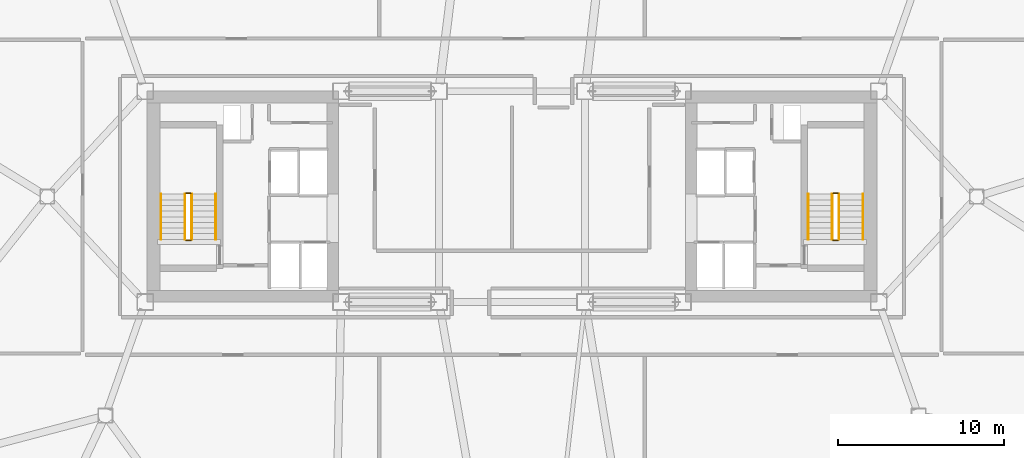
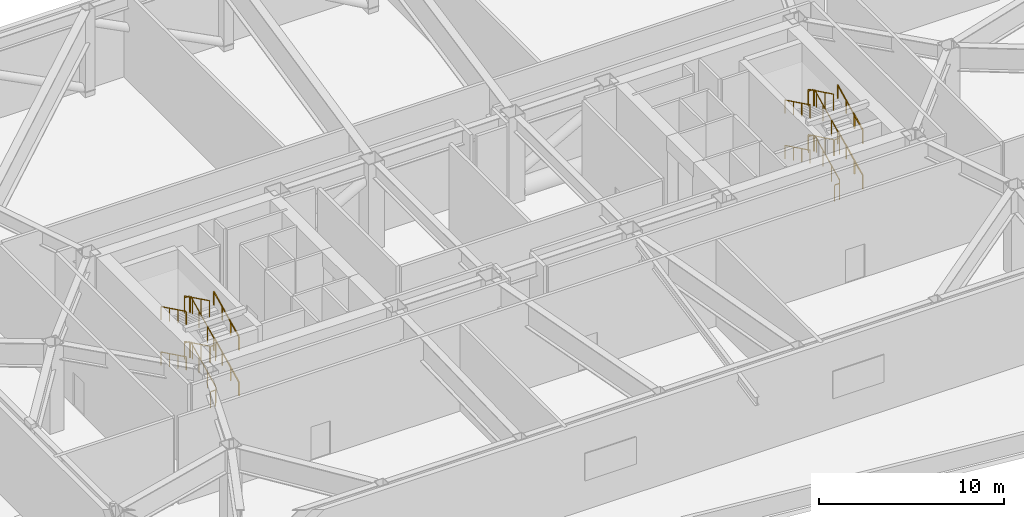
# One storey, part 12 of 12: 24 railings.
"""IFC4 building model written with IfcOpenShell, lengths in metres."""

from ifc_helpers import new_model, si_unit, direction, frame, origin, origin_2d, place, context, subcontext, project, spatial, rectangle, extrude, material, layer, layer_set, type_object, element, save


model = new_model("IFC4")

# Units and contexts
model_context = context("Model", 3, precision=1e-05, world=origin(), true_north=direction((0.0, 1.0)))
body_context = subcontext(model_context, "Body", "Model", "MODEL_VIEW")
ifc_project = project(units=[si_unit("LENGTHUNIT", "METRE"), si_unit("AREAUNIT", "SQUARE_METRE"), si_unit("VOLUMEUNIT", "CUBIC_METRE"), si_unit("PLANEANGLEUNIT", "RADIAN"), si_unit("MASSUNIT", "GRAM", prefix="KILO")], contexts=[model_context])

# Site, building, storey
site_placement = place(None, origin())
site = spatial("IfcSite", under=ifc_project, at=site_placement, CompositionType="ELEMENT")
building_placement = place(site_placement, origin())
building = spatial("IfcBuilding", under=site, at=building_placement, Name="Tavrogorsk Clinical Tower", CompositionType="ELEMENT")
storey_placement = place(building_placement, frame((0.0, 0.0, 146.199951171875)))
storey = spatial("IfcBuildingStorey", under=building, at=storey_placement, Name="L33", CompositionType="ELEMENT", Elevation=146.199951171875)

# Railings
ifc_material_1 = material(Name="Galvanised steel S355 safety stairwell guard", Category="steel")
ifc_layer_1 = layer(ifc_material_1, 0.06005859375)
ifc_layer_set_1 = layer_set([ifc_layer_1], Name="Galvanised steel S355 safety stairwell guard")
railing_type_1 = type_object("IfcRailingType", Name="StairGuard_1150", PredefinedType="GUARDRAIL", material=ifc_layer_set_1)
railing_1_placement = place(storey_placement, frame((-19.300048828125, -2.574951171875, 0.166748046875)))
element("IfcRailing", 1, at=railing_1_placement, inside=storey, type_object=railing_type_1, Name="L33 ST-W stair guard 1", PredefinedType="GUARDRAIL", context=body_context, shape_type="SweptSolid", body=[
    extrude(rectangle(XDim=0.048095703125, YDim=0.048095703125, at=origin_2d()), frame((0.0, 0.0, 1.076171875), z_axis=(0.0, 0.897929466783, 0.4401393787), x_axis=(-1.0, 0.0, 0.0)), (0.0, 0.0, 1.0), 3.029052734375),
    extrude(rectangle(XDim=0.0419921875, YDim=0.0419921875, at=origin_2d()), origin(), (0.0, 0.0, 1.0), 1.052001953125),
    extrude(rectangle(XDim=0.0419921875, YDim=0.0419921875, at=origin_2d()), frame((0.0, 0.90673828125, 0.4443359375)), (0.0, 0.0, 1.0), 1.052001953125),
    extrude(rectangle(XDim=0.0419921875, YDim=0.0419921875, at=origin_2d()), frame((0.0, 1.813232421875, 0.888916015625)), (0.0, 0.0, 1.0), 1.052001953125),
    extrude(rectangle(XDim=0.0419921875, YDim=0.0419921875, at=origin_2d()), frame((0.0, 2.719970703125, 1.333251953125)), (0.0, 0.0, 1.0), 1.052001953125),
])
railing_2_placement = place(storey_placement, frame((-19.35009765625, 0.195068359375, 1.5)))
element("IfcRailing", 2, at=railing_2_placement, inside=storey, type_object=railing_type_1, Name="L33 ST-W stair guard 2", PredefinedType="GUARDRAIL", context=body_context, shape_type="SweptSolid", body=[
    extrude(rectangle(XDim=0.048095703125, YDim=0.048095703125, at=origin_2d()), frame((0.0, 0.0, 1.076171875), z_axis=(-1.0, 0.0, 0.0), x_axis=(0.0, -1.0, 0.0)), (0.0, 0.0, 1.0), 0.2998046875),
    extrude(rectangle(XDim=0.0419921875, YDim=0.0419921875, at=origin_2d()), origin(), (0.0, 0.0, 1.0), 1.052001953125),
    extrude(rectangle(XDim=0.0419921875, YDim=0.0419921875, at=origin_2d()), frame((-0.2998046875, 0.0, 0.0)), (0.0, 0.0, 1.0), 1.052001953125),
])
railing_3_placement = place(storey_placement, frame((-19.699951171875, 0.14501953125, 1.666748046875)))
element("IfcRailing", 3, at=railing_3_placement, inside=storey, type_object=railing_type_1, Name="L33 ST-W stair guard 3", PredefinedType="GUARDRAIL", context=body_context, shape_type="SweptSolid", body=[
    extrude(rectangle(XDim=0.048095703125, YDim=0.048095703125, at=origin_2d()), frame((0.0, 0.0, 1.076171875), z_axis=(0.0, -0.897929466783, 0.4401393787), x_axis=(1.0, 0.0, 0.0)), (0.0, 0.0, 1.0), 3.029052734375),
    extrude(rectangle(XDim=0.0419921875, YDim=0.0419921875, at=origin_2d()), origin(), (0.0, 0.0, 1.0), 1.052001953125),
    extrude(rectangle(XDim=0.0419921875, YDim=0.0419921875, at=origin_2d()), frame((0.0, -0.90673828125, 0.4443359375)), (0.0, 0.0, 1.0), 1.052001953125),
    extrude(rectangle(XDim=0.0419921875, YDim=0.0419921875, at=origin_2d()), frame((0.0, -1.813232421875, 0.888916015625)), (0.0, 0.0, 1.0), 1.052001953125),
    extrude(rectangle(XDim=0.0419921875, YDim=0.0419921875, at=origin_2d()), frame((0.0, -2.719970703125, 1.333251953125)), (0.0, 0.0, 1.0), 1.052001953125),
])
railing_4_placement = place(storey_placement, frame((-19.35009765625, -2.625, 3.0)))
element("IfcRailing", 4, at=railing_4_placement, inside=storey, type_object=railing_type_1, Name="L33 ST-W stair guard 4", PredefinedType="GUARDRAIL", context=body_context, shape_type="SweptSolid", body=[
    extrude(rectangle(XDim=0.048095703125, YDim=0.048095703125, at=origin_2d()), frame((0.0, 0.0, 1.076171875), z_axis=(-1.0, 0.0, 0.0), x_axis=(0.0, -1.0, 0.0)), (0.0, 0.0, 1.0), 0.2998046875),
    extrude(rectangle(XDim=0.0419921875, YDim=0.0419921875, at=origin_2d()), origin(), (0.0, 0.0, 1.0), 1.052001953125),
    extrude(rectangle(XDim=0.0419921875, YDim=0.0419921875, at=origin_2d()), frame((-0.2998046875, 0.0, 0.0)), (0.0, 0.0, 1.0), 1.052001953125),
])
railing_5_placement = place(storey_placement, frame((-19.300048828125, -2.574951171875, 3.166748046875)))
element("IfcRailing", 5, at=railing_5_placement, inside=storey, type_object=railing_type_1, Name="L33 ST-W stair guard 5", PredefinedType="GUARDRAIL", context=body_context, shape_type="SweptSolid", body=[
    extrude(rectangle(XDim=0.048095703125, YDim=0.048095703125, at=origin_2d()), frame((0.0, 0.0, 1.076171875), z_axis=(0.0, 0.897929466783, 0.4401393787), x_axis=(-1.0, 0.0, 0.0)), (0.0, 0.0, 1.0), 3.029052734375),
    extrude(rectangle(XDim=0.0419921875, YDim=0.0419921875, at=origin_2d()), origin(), (0.0, 0.0, 1.0), 1.052001953125),
    extrude(rectangle(XDim=0.0419921875, YDim=0.0419921875, at=origin_2d()), frame((0.0, 0.90673828125, 0.4443359375)), (0.0, 0.0, 1.0), 1.052001953125),
    extrude(rectangle(XDim=0.0419921875, YDim=0.0419921875, at=origin_2d()), frame((0.0, 1.813232421875, 0.888916015625)), (0.0, 0.0, 1.0), 1.052001953125),
    extrude(rectangle(XDim=0.0419921875, YDim=0.0419921875, at=origin_2d()), frame((0.0, 2.719970703125, 1.333251953125)), (0.0, 0.0, 1.0), 1.052001953125),
])
railing_6_placement = place(storey_placement, frame((-19.35009765625, 0.195068359375, 4.5)))
element("IfcRailing", 6, at=railing_6_placement, inside=storey, type_object=railing_type_1, Name="L33 ST-W stair guard 6", PredefinedType="GUARDRAIL", context=body_context, shape_type="SweptSolid", body=[
    extrude(rectangle(XDim=0.048095703125, YDim=0.048095703125, at=origin_2d()), frame((0.0, 0.0, 1.076171875), z_axis=(-1.0, 0.0, 0.0), x_axis=(0.0, -1.0, 0.0)), (0.0, 0.0, 1.0), 0.2998046875),
    extrude(rectangle(XDim=0.0419921875, YDim=0.0419921875, at=origin_2d()), origin(), (0.0, 0.0, 1.0), 1.052001953125),
    extrude(rectangle(XDim=0.0419921875, YDim=0.0419921875, at=origin_2d()), frame((-0.2998046875, 0.0, 0.0)), (0.0, 0.0, 1.0), 1.052001953125),
])
railing_7_placement = place(storey_placement, frame((-19.699951171875, 0.14501953125, 4.666748046875)))
element("IfcRailing", 7, at=railing_7_placement, inside=storey, type_object=railing_type_1, Name="L33 ST-W stair guard 7", PredefinedType="GUARDRAIL", context=body_context, shape_type="SweptSolid", body=[
    extrude(rectangle(XDim=0.048095703125, YDim=0.048095703125, at=origin_2d()), frame((0.0, 0.0, 1.076171875), z_axis=(0.0, -0.897929466783, 0.4401393787), x_axis=(1.0, 0.0, 0.0)), (0.0, 0.0, 1.0), 3.029052734375),
    extrude(rectangle(XDim=0.0419921875, YDim=0.0419921875, at=origin_2d()), origin(), (0.0, 0.0, 1.0), 1.052001953125),
    extrude(rectangle(XDim=0.0419921875, YDim=0.0419921875, at=origin_2d()), frame((0.0, -0.90673828125, 0.4443359375)), (0.0, 0.0, 1.0), 1.052001953125),
    extrude(rectangle(XDim=0.0419921875, YDim=0.0419921875, at=origin_2d()), frame((0.0, -1.813232421875, 0.888916015625)), (0.0, 0.0, 1.0), 1.052001953125),
    extrude(rectangle(XDim=0.0419921875, YDim=0.0419921875, at=origin_2d()), frame((0.0, -2.719970703125, 1.333251953125)), (0.0, 0.0, 1.0), 1.052001953125),
])
railing_8_placement = place(storey_placement, frame((-19.35009765625, -2.625, 0.0)))
element("IfcRailing", 8, at=railing_8_placement, inside=storey, type_object=railing_type_1, Name="L33 ST-W stair guard 8", PredefinedType="GUARDRAIL", context=body_context, shape_type="SweptSolid", body=[
    extrude(rectangle(XDim=0.048095703125, YDim=0.048095703125, at=origin_2d()), frame((0.0, 0.0, 1.076171875), z_axis=(-1.0, 0.0, 0.0), x_axis=(0.0, -1.0, 0.0)), (0.0, 0.0, 1.0), 0.2998046875),
    extrude(rectangle(XDim=0.0419921875, YDim=0.0419921875, at=origin_2d()), origin(), (0.0, 0.0, 1.0), 1.052001953125),
    extrude(rectangle(XDim=0.0419921875, YDim=0.0419921875, at=origin_2d()), frame((-0.2998046875, 0.0, 0.0)), (0.0, 0.0, 1.0), 1.052001953125),
])
railing_9_placement = place(storey_placement, frame((19.699951171875, -2.574951171875, 0.166748046875)))
element("IfcRailing", 9, at=railing_9_placement, inside=storey, type_object=railing_type_1, Name="L33 ST-E stair guard 1", PredefinedType="GUARDRAIL", context=body_context, shape_type="SweptSolid", body=[
    extrude(rectangle(XDim=0.048095703125, YDim=0.048095703125, at=origin_2d()), frame((0.0, 0.0, 1.076171875), z_axis=(0.0, 0.897929466783, 0.4401393787), x_axis=(-1.0, 0.0, 0.0)), (0.0, 0.0, 1.0), 3.029052734375),
    extrude(rectangle(XDim=0.0419921875, YDim=0.0419921875, at=origin_2d()), origin(), (0.0, 0.0, 1.0), 1.052001953125),
    extrude(rectangle(XDim=0.0419921875, YDim=0.0419921875, at=origin_2d()), frame((0.0, 0.90673828125, 0.4443359375)), (0.0, 0.0, 1.0), 1.052001953125),
    extrude(rectangle(XDim=0.0419921875, YDim=0.0419921875, at=origin_2d()), frame((0.0, 1.813232421875, 0.888916015625)), (0.0, 0.0, 1.0), 1.052001953125),
    extrude(rectangle(XDim=0.0419921875, YDim=0.0419921875, at=origin_2d()), frame((0.0, 2.719970703125, 1.333251953125)), (0.0, 0.0, 1.0), 1.052001953125),
])
railing_10_placement = place(storey_placement, frame((19.64990234375, 0.195068359375, 1.5)))
element("IfcRailing", 10, at=railing_10_placement, inside=storey, type_object=railing_type_1, Name="L33 ST-E stair guard 2", PredefinedType="GUARDRAIL", context=body_context, shape_type="SweptSolid", body=[
    extrude(rectangle(XDim=0.048095703125, YDim=0.048095703125, at=origin_2d()), frame((0.0, 0.0, 1.076171875), z_axis=(-1.0, 0.0, 0.0), x_axis=(0.0, -1.0, 0.0)), (0.0, 0.0, 1.0), 0.2998046875),
    extrude(rectangle(XDim=0.0419921875, YDim=0.0419921875, at=origin_2d()), origin(), (0.0, 0.0, 1.0), 1.052001953125),
    extrude(rectangle(XDim=0.0419921875, YDim=0.0419921875, at=origin_2d()), frame((-0.2998046875, 0.0, 0.0)), (0.0, 0.0, 1.0), 1.052001953125),
])
railing_11_placement = place(storey_placement, frame((19.300048828125, 0.14501953125, 1.666748046875)))
element("IfcRailing", 11, at=railing_11_placement, inside=storey, type_object=railing_type_1, Name="L33 ST-E stair guard 3", PredefinedType="GUARDRAIL", context=body_context, shape_type="SweptSolid", body=[
    extrude(rectangle(XDim=0.048095703125, YDim=0.048095703125, at=origin_2d()), frame((0.0, 0.0, 1.076171875), z_axis=(0.0, -0.897929466783, 0.4401393787), x_axis=(1.0, 0.0, 0.0)), (0.0, 0.0, 1.0), 3.029052734375),
    extrude(rectangle(XDim=0.0419921875, YDim=0.0419921875, at=origin_2d()), origin(), (0.0, 0.0, 1.0), 1.052001953125),
    extrude(rectangle(XDim=0.0419921875, YDim=0.0419921875, at=origin_2d()), frame((0.0, -0.90673828125, 0.4443359375)), (0.0, 0.0, 1.0), 1.052001953125),
    extrude(rectangle(XDim=0.0419921875, YDim=0.0419921875, at=origin_2d()), frame((0.0, -1.813232421875, 0.888916015625)), (0.0, 0.0, 1.0), 1.052001953125),
    extrude(rectangle(XDim=0.0419921875, YDim=0.0419921875, at=origin_2d()), frame((0.0, -2.719970703125, 1.333251953125)), (0.0, 0.0, 1.0), 1.052001953125),
])
railing_12_placement = place(storey_placement, frame((19.64990234375, -2.625, 3.0)))
element("IfcRailing", 12, at=railing_12_placement, inside=storey, type_object=railing_type_1, Name="L33 ST-E stair guard 4", PredefinedType="GUARDRAIL", context=body_context, shape_type="SweptSolid", body=[
    extrude(rectangle(XDim=0.048095703125, YDim=0.048095703125, at=origin_2d()), frame((0.0, 0.0, 1.076171875), z_axis=(-1.0, 0.0, 0.0), x_axis=(0.0, -1.0, 0.0)), (0.0, 0.0, 1.0), 0.2998046875),
    extrude(rectangle(XDim=0.0419921875, YDim=0.0419921875, at=origin_2d()), origin(), (0.0, 0.0, 1.0), 1.052001953125),
    extrude(rectangle(XDim=0.0419921875, YDim=0.0419921875, at=origin_2d()), frame((-0.2998046875, 0.0, 0.0)), (0.0, 0.0, 1.0), 1.052001953125),
])
railing_13_placement = place(storey_placement, frame((19.699951171875, -2.574951171875, 3.166748046875)))
element("IfcRailing", 13, at=railing_13_placement, inside=storey, type_object=railing_type_1, Name="L33 ST-E stair guard 5", PredefinedType="GUARDRAIL", context=body_context, shape_type="SweptSolid", body=[
    extrude(rectangle(XDim=0.048095703125, YDim=0.048095703125, at=origin_2d()), frame((0.0, 0.0, 1.076171875), z_axis=(0.0, 0.897929466783, 0.4401393787), x_axis=(-1.0, 0.0, 0.0)), (0.0, 0.0, 1.0), 3.029052734375),
    extrude(rectangle(XDim=0.0419921875, YDim=0.0419921875, at=origin_2d()), origin(), (0.0, 0.0, 1.0), 1.052001953125),
    extrude(rectangle(XDim=0.0419921875, YDim=0.0419921875, at=origin_2d()), frame((0.0, 0.90673828125, 0.4443359375)), (0.0, 0.0, 1.0), 1.052001953125),
    extrude(rectangle(XDim=0.0419921875, YDim=0.0419921875, at=origin_2d()), frame((0.0, 1.813232421875, 0.888916015625)), (0.0, 0.0, 1.0), 1.052001953125),
    extrude(rectangle(XDim=0.0419921875, YDim=0.0419921875, at=origin_2d()), frame((0.0, 2.719970703125, 1.333251953125)), (0.0, 0.0, 1.0), 1.052001953125),
])
railing_14_placement = place(storey_placement, frame((19.64990234375, 0.195068359375, 4.5)))
element("IfcRailing", 14, at=railing_14_placement, inside=storey, type_object=railing_type_1, Name="L33 ST-E stair guard 6", PredefinedType="GUARDRAIL", context=body_context, shape_type="SweptSolid", body=[
    extrude(rectangle(XDim=0.048095703125, YDim=0.048095703125, at=origin_2d()), frame((0.0, 0.0, 1.076171875), z_axis=(-1.0, 0.0, 0.0), x_axis=(0.0, -1.0, 0.0)), (0.0, 0.0, 1.0), 0.2998046875),
    extrude(rectangle(XDim=0.0419921875, YDim=0.0419921875, at=origin_2d()), origin(), (0.0, 0.0, 1.0), 1.052001953125),
    extrude(rectangle(XDim=0.0419921875, YDim=0.0419921875, at=origin_2d()), frame((-0.2998046875, 0.0, 0.0)), (0.0, 0.0, 1.0), 1.052001953125),
])
railing_15_placement = place(storey_placement, frame((19.300048828125, 0.14501953125, 4.666748046875)))
element("IfcRailing", 15, at=railing_15_placement, inside=storey, type_object=railing_type_1, Name="L33 ST-E stair guard 7", PredefinedType="GUARDRAIL", context=body_context, shape_type="SweptSolid", body=[
    extrude(rectangle(XDim=0.048095703125, YDim=0.048095703125, at=origin_2d()), frame((0.0, 0.0, 1.076171875), z_axis=(0.0, -0.897929466783, 0.4401393787), x_axis=(1.0, 0.0, 0.0)), (0.0, 0.0, 1.0), 3.029052734375),
    extrude(rectangle(XDim=0.0419921875, YDim=0.0419921875, at=origin_2d()), origin(), (0.0, 0.0, 1.0), 1.052001953125),
    extrude(rectangle(XDim=0.0419921875, YDim=0.0419921875, at=origin_2d()), frame((0.0, -0.90673828125, 0.4443359375)), (0.0, 0.0, 1.0), 1.052001953125),
    extrude(rectangle(XDim=0.0419921875, YDim=0.0419921875, at=origin_2d()), frame((0.0, -1.813232421875, 0.888916015625)), (0.0, 0.0, 1.0), 1.052001953125),
    extrude(rectangle(XDim=0.0419921875, YDim=0.0419921875, at=origin_2d()), frame((0.0, -2.719970703125, 1.333251953125)), (0.0, 0.0, 1.0), 1.052001953125),
])
railing_16_placement = place(storey_placement, frame((19.64990234375, -2.625, 0.0)))
element("IfcRailing", 16, at=railing_16_placement, inside=storey, type_object=railing_type_1, Name="L33 ST-E stair guard 8", PredefinedType="GUARDRAIL", context=body_context, shape_type="SweptSolid", body=[
    extrude(rectangle(XDim=0.048095703125, YDim=0.048095703125, at=origin_2d()), frame((0.0, 0.0, 1.076171875), z_axis=(-1.0, 0.0, 0.0), x_axis=(0.0, -1.0, 0.0)), (0.0, 0.0, 1.0), 0.2998046875),
    extrude(rectangle(XDim=0.0419921875, YDim=0.0419921875, at=origin_2d()), origin(), (0.0, 0.0, 1.0), 1.052001953125),
    extrude(rectangle(XDim=0.0419921875, YDim=0.0419921875, at=origin_2d()), frame((-0.2998046875, 0.0, 0.0)), (0.0, 0.0, 1.0), 1.052001953125),
])
ifc_material_2 = material(Name="Stainless steel AISI 304 tubular handrail", Category="steel")
ifc_layer_2 = layer(ifc_material_2, 0.050048828125)
ifc_layer_set_2 = layer_set([ifc_layer_2], Name="Stainless steel AISI 304 tubular handrail")
railing_type_2 = type_object("IfcRailingType", Name="StairHandrail_920", PredefinedType="HANDRAIL", material=ifc_layer_set_2)
railing_17_placement = place(storey_placement, frame((-17.85009765625, -2.574951171875, 0.166748046875)))
element("IfcRailing", 17, at=railing_17_placement, inside=storey, type_object=railing_type_2, Name="L33 ST-W stair handrail 1", PredefinedType="HANDRAIL", context=body_context, shape_type="SweptSolid", body=[
    extrude(rectangle(XDim=0.048095703125, YDim=0.048095703125, at=origin_2d()), frame((0.0, 0.0, 0.8759765625), z_axis=(0.0, 0.897929466783, 0.4401393787), x_axis=(-1.0, 0.0, 0.0)), (0.0, 0.0, 1.0), 3.029052734375),
    extrude(rectangle(XDim=0.0419921875, YDim=0.0419921875, at=origin_2d()), origin(), (0.0, 0.0, 1.0), 0.851806640625),
    extrude(rectangle(XDim=0.0419921875, YDim=0.0419921875, at=origin_2d()), frame((0.0, 0.90673828125, 0.4443359375)), (0.0, 0.0, 1.0), 0.851806640625),
    extrude(rectangle(XDim=0.0419921875, YDim=0.0419921875, at=origin_2d()), frame((0.0, 1.813232421875, 0.888916015625)), (0.0, 0.0, 1.0), 0.851806640625),
    extrude(rectangle(XDim=0.0419921875, YDim=0.0419921875, at=origin_2d()), frame((0.0, 2.719970703125, 1.333251953125)), (0.0, 0.0, 1.0), 0.851806640625),
])
railing_18_placement = place(storey_placement, frame((-21.14990234375, 0.14501953125, 1.666748046875)))
element("IfcRailing", 18, at=railing_18_placement, inside=storey, type_object=railing_type_2, Name="L33 ST-W stair handrail 2", PredefinedType="HANDRAIL", context=body_context, shape_type="SweptSolid", body=[
    extrude(rectangle(XDim=0.048095703125, YDim=0.048095703125, at=origin_2d()), frame((0.0, 0.0, 0.8759765625), z_axis=(0.0, -0.897929466783, 0.4401393787), x_axis=(1.0, 0.0, 0.0)), (0.0, 0.0, 1.0), 3.029052734375),
    extrude(rectangle(XDim=0.0419921875, YDim=0.0419921875, at=origin_2d()), origin(), (0.0, 0.0, 1.0), 0.851806640625),
    extrude(rectangle(XDim=0.0419921875, YDim=0.0419921875, at=origin_2d()), frame((0.0, -0.90673828125, 0.4443359375)), (0.0, 0.0, 1.0), 0.851806640625),
    extrude(rectangle(XDim=0.0419921875, YDim=0.0419921875, at=origin_2d()), frame((0.0, -1.813232421875, 0.888916015625)), (0.0, 0.0, 1.0), 0.851806640625),
    extrude(rectangle(XDim=0.0419921875, YDim=0.0419921875, at=origin_2d()), frame((0.0, -2.719970703125, 1.333251953125)), (0.0, 0.0, 1.0), 0.851806640625),
])
railing_19_placement = place(storey_placement, frame((-17.85009765625, -2.574951171875, 3.166748046875)))
element("IfcRailing", 19, at=railing_19_placement, inside=storey, type_object=railing_type_2, Name="L33 ST-W stair handrail 3", PredefinedType="HANDRAIL", context=body_context, shape_type="SweptSolid", body=[
    extrude(rectangle(XDim=0.048095703125, YDim=0.048095703125, at=origin_2d()), frame((0.0, 0.0, 0.8759765625), z_axis=(0.0, 0.897929466783, 0.4401393787), x_axis=(-1.0, 0.0, 0.0)), (0.0, 0.0, 1.0), 3.029052734375),
    extrude(rectangle(XDim=0.0419921875, YDim=0.0419921875, at=origin_2d()), origin(), (0.0, 0.0, 1.0), 0.851806640625),
    extrude(rectangle(XDim=0.0419921875, YDim=0.0419921875, at=origin_2d()), frame((0.0, 0.90673828125, 0.4443359375)), (0.0, 0.0, 1.0), 0.851806640625),
    extrude(rectangle(XDim=0.0419921875, YDim=0.0419921875, at=origin_2d()), frame((0.0, 1.813232421875, 0.888916015625)), (0.0, 0.0, 1.0), 0.851806640625),
    extrude(rectangle(XDim=0.0419921875, YDim=0.0419921875, at=origin_2d()), frame((0.0, 2.719970703125, 1.333251953125)), (0.0, 0.0, 1.0), 0.851806640625),
])
railing_20_placement = place(storey_placement, frame((-21.14990234375, 0.14501953125, 4.666748046875)))
element("IfcRailing", 20, at=railing_20_placement, inside=storey, type_object=railing_type_2, Name="L33 ST-W stair handrail 4", PredefinedType="HANDRAIL", context=body_context, shape_type="SweptSolid", body=[
    extrude(rectangle(XDim=0.048095703125, YDim=0.048095703125, at=origin_2d()), frame((0.0, 0.0, 0.8759765625), z_axis=(0.0, -0.897929466783, 0.4401393787), x_axis=(1.0, 0.0, 0.0)), (0.0, 0.0, 1.0), 3.029052734375),
    extrude(rectangle(XDim=0.0419921875, YDim=0.0419921875, at=origin_2d()), origin(), (0.0, 0.0, 1.0), 0.851806640625),
    extrude(rectangle(XDim=0.0419921875, YDim=0.0419921875, at=origin_2d()), frame((0.0, -0.90673828125, 0.4443359375)), (0.0, 0.0, 1.0), 0.851806640625),
    extrude(rectangle(XDim=0.0419921875, YDim=0.0419921875, at=origin_2d()), frame((0.0, -1.813232421875, 0.888916015625)), (0.0, 0.0, 1.0), 0.851806640625),
    extrude(rectangle(XDim=0.0419921875, YDim=0.0419921875, at=origin_2d()), frame((0.0, -2.719970703125, 1.333251953125)), (0.0, 0.0, 1.0), 0.851806640625),
])
railing_21_placement = place(storey_placement, frame((21.14990234375, -2.574951171875, 0.166748046875)))
element("IfcRailing", 21, at=railing_21_placement, inside=storey, type_object=railing_type_2, Name="L33 ST-E stair handrail 1", PredefinedType="HANDRAIL", context=body_context, shape_type="SweptSolid", body=[
    extrude(rectangle(XDim=0.048095703125, YDim=0.048095703125, at=origin_2d()), frame((0.0, 0.0, 0.8759765625), z_axis=(0.0, 0.897929466783, 0.4401393787), x_axis=(-1.0, 0.0, 0.0)), (0.0, 0.0, 1.0), 3.029052734375),
    extrude(rectangle(XDim=0.0419921875, YDim=0.0419921875, at=origin_2d()), origin(), (0.0, 0.0, 1.0), 0.851806640625),
    extrude(rectangle(XDim=0.0419921875, YDim=0.0419921875, at=origin_2d()), frame((0.0, 0.90673828125, 0.4443359375)), (0.0, 0.0, 1.0), 0.851806640625),
    extrude(rectangle(XDim=0.0419921875, YDim=0.0419921875, at=origin_2d()), frame((0.0, 1.813232421875, 0.888916015625)), (0.0, 0.0, 1.0), 0.851806640625),
    extrude(rectangle(XDim=0.0419921875, YDim=0.0419921875, at=origin_2d()), frame((0.0, 2.719970703125, 1.333251953125)), (0.0, 0.0, 1.0), 0.851806640625),
])
railing_22_placement = place(storey_placement, frame((17.85009765625, 0.14501953125, 1.666748046875)))
element("IfcRailing", 22, at=railing_22_placement, inside=storey, type_object=railing_type_2, Name="L33 ST-E stair handrail 2", PredefinedType="HANDRAIL", context=body_context, shape_type="SweptSolid", body=[
    extrude(rectangle(XDim=0.048095703125, YDim=0.048095703125, at=origin_2d()), frame((0.0, 0.0, 0.8759765625), z_axis=(0.0, -0.897929466783, 0.4401393787), x_axis=(1.0, 0.0, 0.0)), (0.0, 0.0, 1.0), 3.029052734375),
    extrude(rectangle(XDim=0.0419921875, YDim=0.0419921875, at=origin_2d()), origin(), (0.0, 0.0, 1.0), 0.851806640625),
    extrude(rectangle(XDim=0.0419921875, YDim=0.0419921875, at=origin_2d()), frame((0.0, -0.90673828125, 0.4443359375)), (0.0, 0.0, 1.0), 0.851806640625),
    extrude(rectangle(XDim=0.0419921875, YDim=0.0419921875, at=origin_2d()), frame((0.0, -1.813232421875, 0.888916015625)), (0.0, 0.0, 1.0), 0.851806640625),
    extrude(rectangle(XDim=0.0419921875, YDim=0.0419921875, at=origin_2d()), frame((0.0, -2.719970703125, 1.333251953125)), (0.0, 0.0, 1.0), 0.851806640625),
])
railing_23_placement = place(storey_placement, frame((21.14990234375, -2.574951171875, 3.166748046875)))
element("IfcRailing", 23, at=railing_23_placement, inside=storey, type_object=railing_type_2, Name="L33 ST-E stair handrail 3", PredefinedType="HANDRAIL", context=body_context, shape_type="SweptSolid", body=[
    extrude(rectangle(XDim=0.048095703125, YDim=0.048095703125, at=origin_2d()), frame((0.0, 0.0, 0.8759765625), z_axis=(0.0, 0.897929466783, 0.4401393787), x_axis=(-1.0, 0.0, 0.0)), (0.0, 0.0, 1.0), 3.029052734375),
    extrude(rectangle(XDim=0.0419921875, YDim=0.0419921875, at=origin_2d()), origin(), (0.0, 0.0, 1.0), 0.851806640625),
    extrude(rectangle(XDim=0.0419921875, YDim=0.0419921875, at=origin_2d()), frame((0.0, 0.90673828125, 0.4443359375)), (0.0, 0.0, 1.0), 0.851806640625),
    extrude(rectangle(XDim=0.0419921875, YDim=0.0419921875, at=origin_2d()), frame((0.0, 1.813232421875, 0.888916015625)), (0.0, 0.0, 1.0), 0.851806640625),
    extrude(rectangle(XDim=0.0419921875, YDim=0.0419921875, at=origin_2d()), frame((0.0, 2.719970703125, 1.333251953125)), (0.0, 0.0, 1.0), 0.851806640625),
])
railing_24_placement = place(storey_placement, frame((17.85009765625, 0.14501953125, 4.666748046875)))
element("IfcRailing", 24, at=railing_24_placement, inside=storey, type_object=railing_type_2, Name="L33 ST-E stair handrail 4", PredefinedType="HANDRAIL", context=body_context, shape_type="SweptSolid", body=[
    extrude(rectangle(XDim=0.048095703125, YDim=0.048095703125, at=origin_2d()), frame((0.0, 0.0, 0.8759765625), z_axis=(0.0, -0.897929466783, 0.4401393787), x_axis=(1.0, 0.0, 0.0)), (0.0, 0.0, 1.0), 3.029052734375),
    extrude(rectangle(XDim=0.0419921875, YDim=0.0419921875, at=origin_2d()), origin(), (0.0, 0.0, 1.0), 0.851806640625),
    extrude(rectangle(XDim=0.0419921875, YDim=0.0419921875, at=origin_2d()), frame((0.0, -0.90673828125, 0.4443359375)), (0.0, 0.0, 1.0), 0.851806640625),
    extrude(rectangle(XDim=0.0419921875, YDim=0.0419921875, at=origin_2d()), frame((0.0, -1.813232421875, 0.888916015625)), (0.0, 0.0, 1.0), 0.851806640625),
    extrude(rectangle(XDim=0.0419921875, YDim=0.0419921875, at=origin_2d()), frame((0.0, -2.719970703125, 1.333251953125)), (0.0, 0.0, 1.0), 0.851806640625),
])

save(model, "model.ifc")
